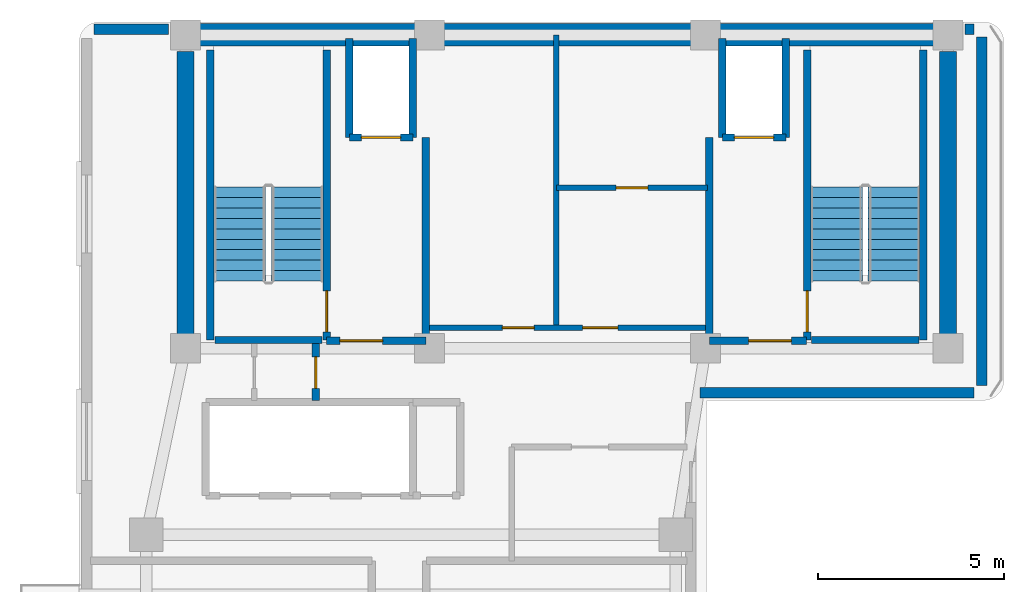
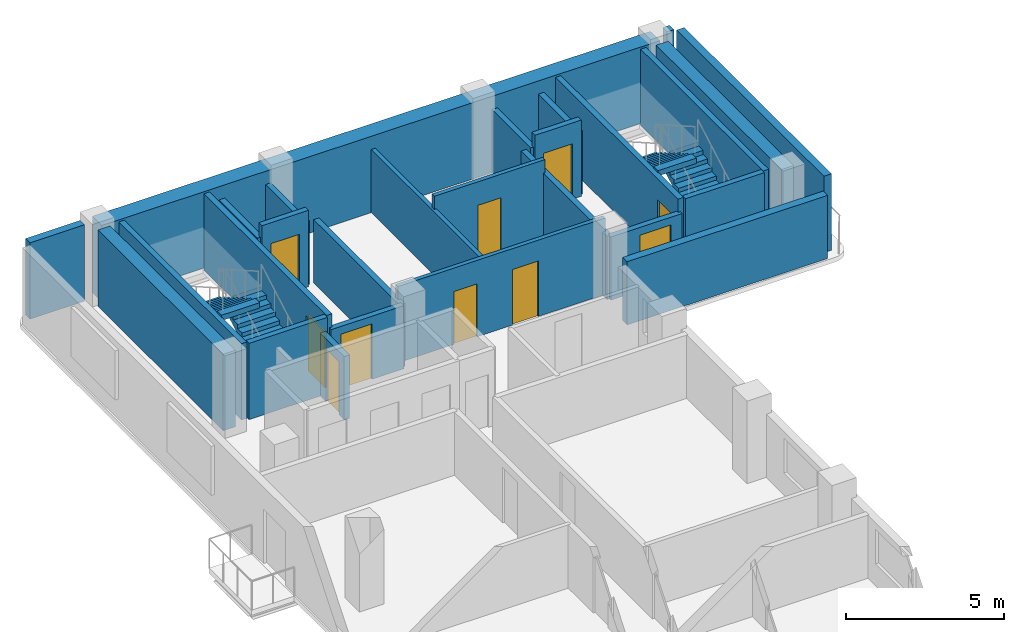
# One storey, part 3 of 5: 27 walls, 10 doors, 4 stair flights, 10 openings, 2 elements without a shape of their own.
"""IFC4 building model written with IfcOpenShell, lengths in metres."""

from ifc_helpers import new_model, si_unit, direction, frame, frame_2d, origin, place, context, subcontext, project, spatial, polyline, rectangle, outline, extrude, material, layer, layer_set, type_object, element, fill, aggregate, save


model = new_model("IFC4")

# Units and contexts
model_context = context("Model", 3, precision=1e-05, world=origin(), true_north=direction((0.0, 1.0)))
body_context = subcontext(model_context, "Body", "Model", "MODEL_VIEW")
ifc_project = project(units=[si_unit("LENGTHUNIT", "METRE"), si_unit("AREAUNIT", "SQUARE_METRE"), si_unit("VOLUMEUNIT", "CUBIC_METRE"), si_unit("PLANEANGLEUNIT", "RADIAN"), si_unit("MASSUNIT", "GRAM", prefix="KILO")], contexts=[model_context])

# Site, building, storey
site_placement = place(None, origin())
site = spatial("IfcSite", under=ifc_project, at=site_placement, CompositionType="ELEMENT")
building_placement = place(site_placement, origin())
building = spatial("IfcBuilding", under=site, at=building_placement, Name="Kuzgunbayir Cultural Tower", CompositionType="ELEMENT")
storey_placement = place(building_placement, frame((0.0, 0.0, 211.199951171875)))
storey = spatial("IfcBuildingStorey", under=building, at=storey_placement, Name="L62", CompositionType="ELEMENT", Elevation=211.199951171875)

# Walls
ifc_material_1 = material(Name="Concrete C50/60", Category="concrete")
ifc_layer_1 = layer(ifc_material_1, 0.449951171875)
ifc_layer_set_1 = layer_set([ifc_layer_1], Name="Concrete C50/60")
wall_type_1 = type_object("IfcWallType", Name="WAL-CORE-450", PredefinedType="SHEAR", material=ifc_layer_set_1)
for number, where, z_axis, x_axis, name in (
    (1, (6.449951171875, 33.800048828125, 0.0), (0.0, 0.0, 1.0), (0.0, 1.0, 0.0), "L62 T1 Core West Shear Wall"),
    (2, (26.89990234375, 33.800048828125, 0.0), (0.0, 0.0, 1.0), (0.0, 1.0, 0.0), "L62 T1 Core East Shear Wall"),
):
    element("IfcWall", number, at=place(storey_placement, frame(where, z_axis=z_axis, x_axis=x_axis)), inside=storey, type_object=wall_type_1, Name=name, PredefinedType="SHEAR", context=body_context, shape_type="SweptSolid", body=[
        extrude(rectangle(XDim=7.949951171875, YDim=0.449951171875, at=frame_2d((3.97509765625, 0.0))), origin(), (0.0, 0.0, 1.0), 2.9599609375),
    ])
ifc_material_2 = material(Name="Concrete C60/75", Category="concrete")
ifc_layer_2 = layer(ifc_material_2, 0.60009765625)
ifc_layer_set_2 = layer_set([ifc_layer_2], Name="Concrete C60/75")
wall_type_2 = type_object("IfcWallType", Name="WAL-CORE-600", PredefinedType="SHEAR", material=ifc_layer_set_2)
wall_1_placement = place(storey_placement, frame((6.449951171875, 42.199951171875, 0.0), z_axis=(0.0, 0.0, 1.0), x_axis=(1.0, 0.0, 0.0)))
element("IfcWall", 3, at=wall_1_placement, inside=storey, type_object=wall_type_2, Name="L62 T1 Core North Shear Wall", PredefinedType="SHEAR", context=body_context, shape_type="SweptSolid", body=[
    extrude(rectangle(XDim=20.449951171875, YDim=0.60009765625, at=frame_2d((10.22509765625, 0.0))), origin(), (0.0, 0.0, 1.0), 2.9599609375),
])
ifc_material_3 = material(Name="Anatolian Cream Limestone", Category="masonry")
ifc_layer_3 = layer(ifc_material_3, 0.280029296875)
ifc_layer_set_3 = layer_set([ifc_layer_3], Name="Anatolian Cream Limestone")
wall_type_3 = type_object("IfcWallType", Name="WAL-EXT-STONE-280", PredefinedType="STANDARD", material=ifc_layer_set_3)
wall_2_placement = place(storey_placement, frame((27.60009765625, 42.35009765625, 0.0), z_axis=(0.0, 0.0, 1.0), x_axis=(-1.0, 0.0, 0.0)))
element("IfcWall", 4, at=wall_2_placement, inside=storey, type_object=wall_type_3, Name="L62 North Wing B Limestone Wall", PredefinedType="STANDARD", context=body_context, shape_type="SweptSolid", body=[
    extrude(rectangle(XDim=0.25, YDim=0.280029296875, at=frame_2d((0.125, 0.0))), origin(), (0.0, 0.0, 1.0), 2.9599609375),
])
wall_3_placement = place(storey_placement, frame((6.0, 42.35009765625, 0.0), z_axis=(0.0, 0.0, 1.0), x_axis=(-1.0, 0.0, 0.0)))
element("IfcWall", 5, at=wall_3_placement, inside=storey, type_object=wall_type_3, Name="L62 Core North-West Spandrel Link", PredefinedType="STANDARD", context=body_context, shape_type="SweptSolid", body=[
    extrude(rectangle(XDim=2.0, YDim=0.280029296875, at=frame_2d((1.0, 0.0))), origin(), (0.0, 0.0, 1.0), 2.9599609375),
])
wall_4_placement = place(storey_placement, frame((27.800048828125, 32.800048828125, 0.0), z_axis=(0.0, 0.0, 1.0), x_axis=(0.0, 1.0, 0.0)))
element("IfcWall", 6, at=wall_4_placement, inside=storey, type_object=wall_type_3, Name="L62 Rear Core East Limestone Wall", PredefinedType="STANDARD", context=body_context, shape_type="SweptSolid", body=[
    extrude(rectangle(XDim=9.349853515625, YDim=0.280029296875, at=frame_2d((4.6748046875, 0.0))), origin(), (0.0, 0.0, 1.0), 2.9599609375),
])
wall_5_placement = place(storey_placement, frame((20.25, 32.60009765625, 0.0), z_axis=(0.0, 0.0, 1.0), x_axis=(1.0, 0.0, 0.0)))
element("IfcWall", 7, at=wall_5_placement, inside=storey, type_object=wall_type_3, Name="L62 Core South Soffit Wall", PredefinedType="STANDARD", context=body_context, shape_type="SweptSolid", body=[
    extrude(rectangle(XDim=7.35009765625, YDim=0.280029296875, at=frame_2d((3.675048828125, 0.0))), origin(), (0.0, 0.0, 1.0), 2.449951171875),
])

# Wall, openings, doors
ifc_material_4 = material(Name="Acoustic Double-Stud Drywall", Category="gypsum")
ifc_layer_4 = layer(ifc_material_4, 0.14990234375)
ifc_layer_set_4 = layer_set([ifc_layer_4], Name="Acoustic Double-Stud Drywall")
wall_type_4 = type_object("IfcWallType", Name="WAL-PART-ACOUSTIC-150", PredefinedType="PARTITIONING", material=ifc_layer_set_4)
wall_6_placement = place(storey_placement, frame((12.89990234375, 34.35009765625, 0.0), z_axis=(0.0, 0.0, 1.0), x_axis=(1.0, 0.0, 0.0)))
wall_6 = element("IfcWall", 8, at=wall_6_placement, inside=storey, type_object=wall_type_4, Name="L62 Sky Core South Wall", PredefinedType="PARTITIONING", context=body_context, shape_type="SweptSolid", body=[
    extrude(rectangle(XDim=7.60009765625, YDim=0.14990234375, at=frame_2d((3.800048828125, 0.0))), origin(), (0.0, 0.0, 1.0), 2.9599609375),
])
opening_1_placement = place(wall_6_placement, frame((2.050048828125, 0.0, 0.0)))
opening_1 = element("IfcOpeningElement", 9, at=opening_1_placement, cuts=wall_6, Name="Opening DC-85", PredefinedType="OPENING", context=body_context, shape_type="SweptSolid", body=[
    extrude(rectangle(XDim=0.85009765625, YDim=2.050048828125, at=frame_2d((0.425048828125, 1.02490234375))), frame((0.0, 0.0849609375, 0.0), z_axis=(0.0, -1.0, 0.0), x_axis=(1.0, 0.0, 0.0)), (0.0, 0.0, 1.0), 0.169921875),
])
opening_2_placement = place(wall_6_placement, frame((4.199951171875, 0.0, 0.0)))
opening_2 = element("IfcOpeningElement", 10, at=opening_2_placement, cuts=wall_6, Name="Opening DC-95", PredefinedType="OPENING", context=body_context, shape_type="SweptSolid", body=[
    extrude(rectangle(XDim=0.949951171875, YDim=2.14990234375, at=frame_2d((0.47509765625, 1.074951171875))), frame((0.0, 0.0849609375, 0.0), z_axis=(0.0, -1.0, 0.0), x_axis=(1.0, 0.0, 0.0)), (0.0, 0.0, 1.0), 0.169921875),
])
ifc_material_5 = material(Name="Fire-Rated Veneered Oak Leaf", Category="wood")
door_type_1 = type_object("IfcDoorType", Name="DR-CORE-85", OperationType="NOTDEFINED", PredefinedType="DOOR", material=ifc_material_5)
door_1_placement = place(opening_1_placement, origin())
door_1 = element("IfcDoor", 11, at=door_1_placement, inside=storey, type_object=door_type_1, Name="L62 Study Pod Door", OperationType="SINGLE_SWING_LEFT", OverallHeight=2.050048828125, OverallWidth=0.85009765625, PredefinedType="DOOR", context=body_context, shape_type="SweptSolid", body=[
    extrude(rectangle(XDim=0.85009765625, YDim=2.050048828125, at=frame_2d((0.425048828125, 1.02490234375))), frame((0.0, 0.02490234375, 0.0), z_axis=(0.0, -1.0, 0.0), x_axis=(1.0, 0.0, 0.0)), (0.0, 0.0, 1.0), 0.050048828125),
])
fill(opening_1, door_1)
door_type_2 = type_object("IfcDoorType", Name="DR-CORE-95", OperationType="NOTDEFINED", PredefinedType="DOOR", material=ifc_material_5)
door_2_placement = place(opening_2_placement, origin())
door_2 = element("IfcDoor", 12, at=door_2_placement, inside=storey, type_object=door_type_2, Name="L62 Tea Salon Door", OperationType="SINGLE_SWING_RIGHT", OverallHeight=2.14990234375, OverallWidth=0.949951171875, PredefinedType="DOOR", context=body_context, shape_type="SweptSolid", body=[
    extrude(rectangle(XDim=0.949951171875, YDim=2.14990234375, at=frame_2d((0.47509765625, 1.074951171875))), frame((0.0, 0.02490234375, 0.0), z_axis=(0.0, -1.0, 0.0), x_axis=(1.0, 0.0, 0.0)), (0.0, 0.0, 1.0), 0.050048828125),
])
fill(opening_2, door_2)

# Wall
wall_7_placement = place(storey_placement, frame((16.39990234375, 34.35009765625, 0.0), z_axis=(0.0, 0.0, 1.0), x_axis=(0.0, 1.0, 0.0)))
element("IfcWall", 13, at=wall_7_placement, inside=storey, type_object=wall_type_4, Name="L62 Sky Core Tri-Wall 1", PredefinedType="PARTITIONING", context=body_context, shape_type="SweptSolid", body=[
    extrude(rectangle(XDim=7.849853515625, YDim=0.14990234375, at=frame_2d((3.9248046875, 0.0))), origin(), (0.0, 0.0, 1.0), 2.449951171875),
])

# Wall, opening, door
wall_8_placement = place(storey_placement, frame((16.39990234375, 38.10009765625, 0.0), z_axis=(0.0, 0.0, 1.0), x_axis=(1.0, 0.0, 0.0)))
wall_8 = element("IfcWall", 14, at=wall_8_placement, inside=storey, type_object=wall_type_4, Name="L62 Sky Core Mid Divider", PredefinedType="PARTITIONING", context=body_context, shape_type="SweptSolid", body=[
    extrude(rectangle(XDim=4.050048828125, YDim=0.14990234375, at=frame_2d((2.02490234375, 0.0))), origin(), (0.0, 0.0, 1.0), 2.9599609375),
])
opening_3_placement = place(wall_8_placement, frame((1.60009765625, 0.0, 0.0)))
opening_3 = element("IfcOpeningElement", 15, at=opening_3_placement, cuts=wall_8, Name="Opening DC-85", PredefinedType="OPENING", context=body_context, shape_type="SweptSolid", body=[
    extrude(rectangle(XDim=0.85009765625, YDim=2.050048828125, at=frame_2d((0.425048828125, 1.02490234375))), frame((0.0, 0.0849609375, 0.0), z_axis=(0.0, -1.0, 0.0), x_axis=(1.0, 0.0, 0.0)), (0.0, 0.0, 1.0), 0.169921875),
])
door_3_placement = place(opening_3_placement, origin())
door_3 = element("IfcDoor", 16, at=door_3_placement, inside=storey, type_object=door_type_1, Name="L62 Meditation Room Door", OperationType="SINGLE_SWING_LEFT", OverallHeight=2.050048828125, OverallWidth=0.85009765625, PredefinedType="DOOR", context=body_context, shape_type="SweptSolid", body=[
    extrude(rectangle(XDim=0.85009765625, YDim=2.050048828125, at=frame_2d((0.425048828125, 1.02490234375))), frame((0.0, 0.02490234375, 0.0), z_axis=(0.0, -1.0, 0.0), x_axis=(1.0, 0.0, 0.0)), (0.0, 0.0, 1.0), 0.050048828125),
])
fill(opening_3, door_3)

# Wall
ifc_material_6 = material(Name="Aerated Concrete Blockwork", Category="masonry")
ifc_layer_5 = layer(ifc_material_6, 0.199951171875)
ifc_layer_set_5 = layer_set([ifc_layer_5], Name="Aerated Concrete Blockwork")
wall_type_5 = type_object("IfcWallType", Name="WAL-PART-FIRE-200", PredefinedType="PARTITIONING", material=ifc_layer_set_5)
wall_9_placement = place(storey_placement, frame((12.89990234375, 34.0, 0.0), z_axis=(0.0, 0.0, 1.0), x_axis=(0.0, 1.0, 0.0)))
element("IfcWall", 17, at=wall_9_placement, inside=storey, type_object=wall_type_5, Name="L62 FFL-1 Lobby East Fire Wall", PredefinedType="PARTITIONING", context=body_context, shape_type="SweptSolid", body=[
    extrude(rectangle(XDim=5.449951171875, YDim=0.199951171875, at=frame_2d((2.72509765625, 0.0))), origin(), (0.0, 0.0, 1.0), 2.449951171875),
])

# Wall, opening, door
wall_10_placement = place(storey_placement, frame((10.239990234375, 34.0, 0.0), z_axis=(0.0, 0.0, 1.0), x_axis=(1.0, 0.0, 0.0)))
wall_10 = element("IfcWall", 18, at=wall_10_placement, inside=storey, type_object=wall_type_5, Name="L62 FFL-1 Lobby South Fire Wall", PredefinedType="PARTITIONING", context=body_context, shape_type="SweptSolid", body=[
    extrude(rectangle(XDim=2.659912109375, YDim=0.199951171875, at=frame_2d((1.330078125, 0.0))), origin(), (0.0, 0.0, 1.0), 2.449951171875),
])
opening_4_placement = place(wall_10_placement, frame((0.35009765625, 0.0, 0.0)))
opening_4 = element("IfcOpeningElement", 19, at=opening_4_placement, cuts=wall_10, Name="Opening DR-FFL-90", PredefinedType="OPENING", context=body_context, shape_type="SweptSolid", body=[
    extrude(rectangle(XDim=1.14990234375, YDim=2.14990234375, at=frame_2d((0.574951171875, 1.074951171875))), frame((0.0, 0.10986328125, 0.0), z_axis=(0.0, -1.0, 0.0), x_axis=(1.0, 0.0, 0.0)), (0.0, 0.0, 1.0), 0.219970703125),
])
ifc_material_7 = material(Name="Steel S355J2", Category="steel")
door_type_3 = type_object("IfcDoorType", Name="DR-FFL-90", OperationType="NOTDEFINED", PredefinedType="DOOR", material=ifc_material_7)
door_4_placement = place(opening_4_placement, origin())
door_4 = element("IfcDoor", 20, at=door_4_placement, inside=storey, type_object=door_type_3, Name="L62 Firefighting Lobby 1 Door", OperationType="SINGLE_SWING_RIGHT", OverallHeight=2.14990234375, OverallWidth=1.14990234375, PredefinedType="DOOR", context=body_context, shape_type="SweptSolid", body=[
    extrude(rectangle(XDim=1.14990234375, YDim=2.14990234375, at=frame_2d((0.574951171875, 1.074951171875))), frame((0.0, 0.02490234375, 0.0), z_axis=(0.0, -1.0, 0.0), x_axis=(1.0, 0.0, 0.0)), (0.0, 0.0, 1.0), 0.050048828125),
])
fill(opening_4, door_4)

# Wall
wall_11_placement = place(storey_placement, frame((20.5, 34.0, 0.0), z_axis=(0.0, 0.0, 1.0), x_axis=(0.0, 1.0, 0.0)))
element("IfcWall", 21, at=wall_11_placement, inside=storey, type_object=wall_type_5, Name="L62 FFL-2 Lobby West Fire Wall", PredefinedType="PARTITIONING", context=body_context, shape_type="SweptSolid", body=[
    extrude(rectangle(XDim=5.449951171875, YDim=0.199951171875, at=frame_2d((2.72509765625, 0.0))), origin(), (0.0, 0.0, 1.0), 2.449951171875),
])

# Wall, opening, door
wall_12_placement = place(storey_placement, frame((20.5, 34.0, 0.0), z_axis=(0.0, 0.0, 1.0), x_axis=(1.0, 0.0, 0.0)))
wall_12 = element("IfcWall", 22, at=wall_12_placement, inside=storey, type_object=wall_type_5, Name="L62 FFL-2 Lobby South Fire Wall", PredefinedType="PARTITIONING", context=body_context, shape_type="SweptSolid", body=[
    extrude(rectangle(XDim=2.60009765625, YDim=0.199951171875, at=frame_2d((1.300048828125, 0.0))), origin(), (0.0, 0.0, 1.0), 2.449951171875),
])
opening_5_placement = place(wall_12_placement, frame((1.050048828125, 0.0, 0.0)))
opening_5 = element("IfcOpeningElement", 23, at=opening_5_placement, cuts=wall_12, Name="Opening DR-FFL-90", PredefinedType="OPENING", context=body_context, shape_type="SweptSolid", body=[
    extrude(rectangle(XDim=1.14990234375, YDim=2.14990234375, at=frame_2d((0.574951171875, 1.074951171875))), frame((0.0, 0.10986328125, 0.0), z_axis=(0.0, -1.0, 0.0), x_axis=(1.0, 0.0, 0.0)), (0.0, 0.0, 1.0), 0.219970703125),
])
door_5_placement = place(opening_5_placement, origin())
door_5 = element("IfcDoor", 24, at=door_5_placement, inside=storey, type_object=door_type_3, Name="L62 Firefighting Lobby 2 Door", OperationType="SINGLE_SWING_LEFT", OverallHeight=2.14990234375, OverallWidth=1.14990234375, PredefinedType="DOOR", context=body_context, shape_type="SweptSolid", body=[
    extrude(rectangle(XDim=1.14990234375, YDim=2.14990234375, at=frame_2d((0.574951171875, 1.074951171875))), frame((0.0, 0.02490234375, 0.0), z_axis=(0.0, -1.0, 0.0), x_axis=(1.0, 0.0, 0.0)), (0.0, 0.0, 1.0), 0.050048828125),
])
fill(opening_5, door_5)

wall_13_placement = place(storey_placement, frame((9.949951171875, 32.39990234375, 0.0), z_axis=(0.0, 0.0, 1.0), x_axis=(0.0, 1.0, 0.0)))
wall_13 = element("IfcWall", 25, at=wall_13_placement, inside=storey, type_object=wall_type_5, Name="L62 West Core Service Closet Wall", PredefinedType="PARTITIONING", context=body_context, shape_type="SweptSolid", body=[
    extrude(rectangle(XDim=1.52001953125, YDim=0.199951171875, at=frame_2d((0.760009765625, 0.0))), origin(), (0.0, 0.0, 1.0), 2.449951171875),
])
opening_6_placement = place(wall_13_placement, frame((0.320068359375, 0.0, 0.0)))
opening_6 = element("IfcOpeningElement", 26, at=opening_6_placement, cuts=wall_13, Name="Opening DR-RSR-60", PredefinedType="OPENING", context=body_context, shape_type="SweptSolid", body=[
    extrude(rectangle(XDim=0.85009765625, YDim=2.050048828125, at=frame_2d((0.425048828125, 1.02490234375))), frame((0.0, 0.10986328125, 0.0), z_axis=(0.0, -1.0, 0.0), x_axis=(1.0, 0.0, 0.0)), (0.0, 0.0, 1.0), 0.219970703125),
])
ifc_material_8 = material(Name="Steel Access Leaf", Category="steel")
door_type_4 = type_object("IfcDoorType", Name="DR-RISER-60", OperationType="NOTDEFINED", PredefinedType="DOOR", material=ifc_material_8)
door_6_placement = place(opening_6_placement, origin())
door_6 = element("IfcDoor", 27, at=door_6_placement, inside=storey, type_object=door_type_4, Name="L62 Cleaner Store Door", OperationType="SINGLE_SWING_RIGHT", OverallHeight=2.050048828125, OverallWidth=0.85009765625, PredefinedType="DOOR", context=body_context, shape_type="SweptSolid", body=[
    extrude(rectangle(XDim=0.85009765625, YDim=2.050048828125, at=frame_2d((0.425048828125, 1.02490234375))), frame((0.0, 0.02490234375, 0.0), z_axis=(0.0, -1.0, 0.0), x_axis=(1.0, 0.0, 0.0)), (0.0, 0.0, 1.0), 0.050048828125),
])
fill(opening_6, door_6)

ifc_material_9 = material(Name="Concrete C40/50", Category="concrete")
ifc_layer_6 = layer(ifc_material_9, 0.199951171875)
ifc_layer_set_6 = layer_set([ifc_layer_6], Name="Concrete C40/50")
wall_type_6 = type_object("IfcWallType", Name="WAL-SHAFT-200", PredefinedType="MOVABLE", material=ifc_layer_set_6)
wall_14_placement = place(storey_placement, frame((10.85009765625, 39.449951171875, 0.0), z_axis=(0.0, 0.0, 1.0), x_axis=(1.0, 0.0, 0.0)))
wall_14 = element("IfcWall", 28, at=wall_14_placement, inside=storey, type_object=wall_type_6, Name="L62 FFL-1 Lift Front Wall", PredefinedType="MOVABLE", context=body_context, shape_type="SweptSolid", body=[
    extrude(rectangle(XDim=1.699951171875, YDim=0.199951171875, at=frame_2d((0.85009765625, 0.0))), origin(), (0.0, 0.0, 1.0), 2.9599609375),
])
opening_7_placement = place(wall_14_placement, frame((0.320068359375, 0.0, 0.0)))
opening_7 = element("IfcOpeningElement", 29, at=opening_7_placement, cuts=wall_14, Name="Opening LD", PredefinedType="OPENING", context=body_context, shape_type="SweptSolid", body=[
    extrude(rectangle(XDim=1.050048828125, YDim=2.14990234375, at=frame_2d((0.52490234375, 1.074951171875))), frame((0.0, 0.10986328125, 0.0), z_axis=(0.0, -1.0, 0.0), x_axis=(1.0, 0.0, 0.0)), (0.0, 0.0, 1.0), 0.219970703125),
])
ifc_material_10 = material(Name="Brushed Stainless Steel", Category="steel")
door_type_5 = type_object("IfcDoorType", Name="DR-LIFT-LANDING", OperationType="SLIDING_TO_LEFT", PredefinedType="DOOR", material=ifc_material_10)
door_7_placement = place(opening_7_placement, origin())
door_7 = element("IfcDoor", 30, at=door_7_placement, inside=storey, type_object=door_type_5, Name="L62 Lift FFL-1 Landing Door", OperationType="SLIDING_TO_LEFT", OverallHeight=2.14990234375, OverallWidth=1.050048828125, PredefinedType="DOOR", context=body_context, shape_type="SweptSolid", body=[
    extrude(rectangle(XDim=1.050048828125, YDim=2.14990234375, at=frame_2d((0.52490234375, 1.074951171875))), frame((0.0, 0.02490234375, 0.0), z_axis=(0.0, -1.0, 0.0), x_axis=(1.0, 0.0, 0.0)), (0.0, 0.0, 1.0), 0.050048828125),
])
fill(opening_7, door_7)

wall_15_placement = place(storey_placement, frame((20.85009765625, 39.449951171875, 0.0), z_axis=(0.0, 0.0, 1.0), x_axis=(1.0, 0.0, 0.0)))
wall_15 = element("IfcWall", 31, at=wall_15_placement, inside=storey, type_object=wall_type_6, Name="L62 FFL-2 Lift Front Wall", PredefinedType="MOVABLE", context=body_context, shape_type="SweptSolid", body=[
    extrude(rectangle(XDim=1.699951171875, YDim=0.199951171875, at=frame_2d((0.85009765625, 0.0))), origin(), (0.0, 0.0, 1.0), 2.9599609375),
])
opening_8_placement = place(wall_15_placement, frame((0.320068359375, 0.0, 0.0)))
opening_8 = element("IfcOpeningElement", 32, at=opening_8_placement, cuts=wall_15, Name="Opening LD", PredefinedType="OPENING", context=body_context, shape_type="SweptSolid", body=[
    extrude(rectangle(XDim=1.050048828125, YDim=2.14990234375, at=frame_2d((0.52490234375, 1.074951171875))), frame((0.0, 0.10986328125, 0.0), z_axis=(0.0, -1.0, 0.0), x_axis=(1.0, 0.0, 0.0)), (0.0, 0.0, 1.0), 0.219970703125),
])
door_8_placement = place(opening_8_placement, origin())
door_8 = element("IfcDoor", 33, at=door_8_placement, inside=storey, type_object=door_type_5, Name="L62 Lift FFL-2 Landing Door", OperationType="SLIDING_TO_LEFT", OverallHeight=2.14990234375, OverallWidth=1.050048828125, PredefinedType="DOOR", context=body_context, shape_type="SweptSolid", body=[
    extrude(rectangle(XDim=1.050048828125, YDim=2.14990234375, at=frame_2d((0.52490234375, 1.074951171875))), frame((0.0, 0.02490234375, 0.0), z_axis=(0.0, -1.0, 0.0), x_axis=(1.0, 0.0, 0.0)), (0.0, 0.0, 1.0), 0.050048828125),
])
fill(opening_8, door_8)

# Walls
for number, where, z_axis, x_axis, name in (
    (34, (10.85009765625, 39.449951171875, 0.0), (0.0, 0.0, 1.0), (0.0, 1.0, 0.0), "L62 FFL-1 Shaft West Wall"),
    (35, (12.550048828125, 39.449951171875, 0.0), (0.0, 0.0, 1.0), (0.0, 1.0, 0.0), "L62 FFL-1 Shaft East Wall"),
    (36, (20.85009765625, 39.449951171875, 0.0), (0.0, 0.0, 1.0), (0.0, 1.0, 0.0), "L62 FFL-2 Shaft West Wall"),
    (37, (22.550048828125, 39.449951171875, 0.0), (0.0, 0.0, 1.0), (0.0, 1.0, 0.0), "L62 FFL-2 Shaft East Wall"),
):
    element("IfcWall", number, at=place(storey_placement, frame(where, z_axis=z_axis, x_axis=x_axis)), inside=storey, type_object=wall_type_6, Name=name, PredefinedType="MOVABLE", context=body_context, shape_type="SweptSolid", body=[
        extrude(rectangle(XDim=2.650146484375, YDim=0.199951171875, at=frame_2d((1.3251953125, 0.0))), origin(), (0.0, 0.0, 1.0), 2.449951171875),
    ])
ifc_layer_7 = layer(ifc_material_9, 0.199951171875)
ifc_layer_set_7 = layer_set([ifc_layer_7], Name="Concrete C40/50")
wall_type_7 = type_object("IfcWallType", Name="WAL-STAIR-RC-200", PredefinedType="SHEAR", material=ifc_layer_set_7)
wall_16_placement = place(storey_placement, frame((7.1201171875, 34.02001953125, 0.0), z_axis=(0.0, 0.0, 1.0), x_axis=(0.0, 1.0, 0.0)))
element("IfcWall", 38, at=wall_16_placement, inside=storey, type_object=wall_type_7, Name="L62 Stair ST-1 West Structural Wall", PredefinedType="SHEAR", context=body_context, shape_type="SweptSolid", body=[
    extrude(rectangle(XDim=7.780029296875, YDim=0.199951171875, at=frame_2d((3.89013671875, 0.0))), origin(), (0.0, 0.0, 1.0), 2.9599609375),
])

# Wall, opening, door
wall_17_placement = place(storey_placement, frame((10.239990234375, 34.02001953125, 0.0), z_axis=(0.0, 0.0, 1.0), x_axis=(0.0, 1.0, 0.0)))
wall_17 = element("IfcWall", 39, at=wall_17_placement, inside=storey, type_object=wall_type_7, Name="L62 Stair ST-1 East Structural Wall", PredefinedType="SHEAR", context=body_context, shape_type="SweptSolid", body=[
    extrude(rectangle(XDim=7.780029296875, YDim=0.199951171875, at=frame_2d((3.89013671875, 0.0))), origin(), (0.0, 0.0, 1.0), 2.9599609375),
])
opening_9_placement = place(wall_17_placement, frame((0.219970703125, 0.0, 0.0)))
opening_9 = element("IfcOpeningElement", 40, at=opening_9_placement, cuts=wall_17, Name="Opening DR-STAIR-90", PredefinedType="OPENING", context=body_context, shape_type="SweptSolid", body=[
    extrude(rectangle(XDim=1.10009765625, YDim=2.14990234375, at=frame_2d((0.550048828125, 1.074951171875))), frame((0.0, 0.10986328125, 0.0), z_axis=(0.0, -1.0, 0.0), x_axis=(1.0, 0.0, 0.0)), (0.0, 0.0, 1.0), 0.219970703125),
])
door_type_6 = type_object("IfcDoorType", Name="DR-STAIR-90", OperationType="NOTDEFINED", PredefinedType="DOOR", material=ifc_material_7)
door_9_placement = place(opening_9_placement, origin())
door_9 = element("IfcDoor", 41, at=door_9_placement, inside=storey, type_object=door_type_6, Name="L62 Stair ST-1 Fire Door", OperationType="SINGLE_SWING_RIGHT", OverallHeight=2.14990234375, OverallWidth=1.10009765625, PredefinedType="DOOR", context=body_context, shape_type="SweptSolid", body=[
    extrude(rectangle(XDim=1.10009765625, YDim=2.14990234375, at=frame_2d((0.550048828125, 1.074951171875))), frame((0.0, 0.02490234375, 0.0), z_axis=(0.0, -1.0, 0.0), x_axis=(1.0, 0.0, 0.0)), (0.0, 0.0, 1.0), 0.050048828125),
])
fill(opening_9, door_9)

# Wall
wall_18_placement = place(storey_placement, frame((7.239990234375, 34.02001953125, 0.0), z_axis=(0.0, 0.0, 1.0), x_axis=(1.0, 0.0, 0.0)))
element("IfcWall", 42, at=wall_18_placement, inside=storey, type_object=wall_type_7, Name="L62 Stair ST-1 South Structural Wall", PredefinedType="SHEAR", context=body_context, shape_type="SweptSolid", body=[
    extrude(rectangle(XDim=2.880126953125, YDim=0.199951171875, at=frame_2d((1.43994140625, 0.0))), origin(), (0.0, 0.0, 1.0), 2.9599609375),
])

# Wall, opening, door
wall_19_placement = place(storey_placement, frame((23.1201171875, 34.02001953125, 0.0), z_axis=(0.0, 0.0, 1.0), x_axis=(0.0, 1.0, 0.0)))
wall_19 = element("IfcWall", 43, at=wall_19_placement, inside=storey, type_object=wall_type_7, Name="L62 Stair ST-2 West Structural Wall", PredefinedType="SHEAR", context=body_context, shape_type="SweptSolid", body=[
    extrude(rectangle(XDim=7.780029296875, YDim=0.199951171875, at=frame_2d((3.89013671875, 0.0))), origin(), (0.0, 0.0, 1.0), 2.9599609375),
])
opening_10_placement = place(wall_19_placement, frame((0.219970703125, 0.0, 0.0)))
opening_10 = element("IfcOpeningElement", 44, at=opening_10_placement, cuts=wall_19, Name="Opening DR-STAIR-90", PredefinedType="OPENING", context=body_context, shape_type="SweptSolid", body=[
    extrude(rectangle(XDim=1.10009765625, YDim=2.14990234375, at=frame_2d((0.550048828125, 1.074951171875))), frame((0.0, 0.10986328125, 0.0), z_axis=(0.0, -1.0, 0.0), x_axis=(1.0, 0.0, 0.0)), (0.0, 0.0, 1.0), 0.219970703125),
])
door_10_placement = place(opening_10_placement, origin())
door_10 = element("IfcDoor", 45, at=door_10_placement, inside=storey, type_object=door_type_6, Name="L62 Stair ST-2 Fire Door", OperationType="SINGLE_SWING_RIGHT", OverallHeight=2.14990234375, OverallWidth=1.10009765625, PredefinedType="DOOR", context=body_context, shape_type="SweptSolid", body=[
    extrude(rectangle(XDim=1.10009765625, YDim=2.14990234375, at=frame_2d((0.550048828125, 1.074951171875))), frame((0.0, 0.02490234375, 0.0), z_axis=(0.0, -1.0, 0.0), x_axis=(1.0, 0.0, 0.0)), (0.0, 0.0, 1.0), 0.050048828125),
])
fill(opening_10, door_10)

# Walls
wall_20_placement = place(storey_placement, frame((26.239990234375, 34.02001953125, 0.0), z_axis=(0.0, 0.0, 1.0), x_axis=(0.0, 1.0, 0.0)))
element("IfcWall", 46, at=wall_20_placement, inside=storey, type_object=wall_type_7, Name="L62 Stair ST-2 East Structural Wall", PredefinedType="SHEAR", context=body_context, shape_type="SweptSolid", body=[
    extrude(rectangle(XDim=7.780029296875, YDim=0.199951171875, at=frame_2d((3.89013671875, 0.0))), origin(), (0.0, 0.0, 1.0), 2.9599609375),
])
wall_21_placement = place(storey_placement, frame((23.239990234375, 34.02001953125, 0.0), z_axis=(0.0, 0.0, 1.0), x_axis=(1.0, 0.0, 0.0)))
element("IfcWall", 47, at=wall_21_placement, inside=storey, type_object=wall_type_7, Name="L62 Stair ST-2 South Structural Wall", PredefinedType="SHEAR", context=body_context, shape_type="SweptSolid", body=[
    extrude(rectangle(XDim=2.880126953125, YDim=0.199951171875, at=frame_2d((1.43994140625, 0.0))), origin(), (0.0, 0.0, 1.0), 2.9599609375),
])

# Stair, stair flights
stair_type = type_object("IfcStairType", Name="STR-EXIT-CORE", PredefinedType="HALF_TURN_STAIR", material=ifc_material_9)
stair_1_placement = place(storey_placement, origin())
stair_1 = element("IfcStair", 48, at=stair_1_placement, inside=storey, type_object=stair_type, Name="L62 ST-1", PredefinedType="HALF_TURN_STAIR")
stair_flight_type = type_object("IfcStairFlightType", Name="STRF-RC-140", PredefinedType="STRAIGHT", material=ifc_material_9)
stair_flight_1_placement = place(storey_placement, frame((9.4599609375, 35.60009765625, 0.0), z_axis=(0.0, 0.0, 1.0), x_axis=(0.0, 1.0, 0.0)))
stair_flight_1 = element("IfcStairFlight", 49, at=stair_flight_1_placement, type_object=stair_flight_type, Name="ST-1 flight 1", NumberOfRisers=10, NumberOfTreads=9, PredefinedType="STRAIGHT", RiserHeight=0.16, TreadLength=0.28, context=body_context, shape_type="SweptSolid", body=[
    extrude(outline(polyline([(0.0, 0.0), (0.0, 0.159912109375), (0.280029296875, 0.159912109375), (0.280029296875, 0.320068359375), (0.56005859375, 0.320068359375), (0.56005859375, 0.47998046875), (0.840087890625, 0.47998046875), (0.840087890625, 0.639892578125), (1.1201171875, 0.639892578125), (1.1201171875, 0.800048828125), (1.39990234375, 0.800048828125), (1.39990234375, 0.9599609375), (1.679931640625, 0.9599609375), (1.679931640625, 1.1201171875), (1.9599609375, 1.1201171875), (1.9599609375, 1.280029296875), (2.239990234375, 1.280029296875), (2.239990234375, 1.43994140625), (2.52001953125, 1.43994140625), (2.52001953125, 1.60009765625), (2.52001953125, 1.232666015625), (0.362548828125, 0.0), (0.0, 0.0)])), frame((0.0, 0.699951171875, 0.0), z_axis=(0.0, -1.0, 0.0), x_axis=(1.0, 0.0, 0.0)), (0.0, 0.0, 1.0), 1.39990234375),
])
stair_flight_2_placement = place(storey_placement, frame((7.89990234375, 38.1201171875, 1.60009765625), z_axis=(0.0, 0.0, 1.0), x_axis=(0.0, -1.0, 0.0)))
stair_flight_2 = element("IfcStairFlight", 50, at=stair_flight_2_placement, type_object=stair_flight_type, Name="ST-1 flight 2", NumberOfRisers=10, NumberOfTreads=9, PredefinedType="STRAIGHT", RiserHeight=0.16, TreadLength=0.28, context=body_context, shape_type="SweptSolid", body=[
    extrude(outline(polyline([(0.0, 0.0), (0.0, 0.159912109375), (0.280029296875, 0.159912109375), (0.280029296875, 0.320068359375), (0.56005859375, 0.320068359375), (0.56005859375, 0.47998046875), (0.840087890625, 0.47998046875), (0.840087890625, 0.639892578125), (1.1201171875, 0.639892578125), (1.1201171875, 0.800048828125), (1.39990234375, 0.800048828125), (1.39990234375, 0.9599609375), (1.679931640625, 0.9599609375), (1.679931640625, 1.1201171875), (1.9599609375, 1.1201171875), (1.9599609375, 1.280029296875), (2.239990234375, 1.280029296875), (2.239990234375, 1.43994140625), (2.52001953125, 1.43994140625), (2.52001953125, 1.60009765625), (2.52001953125, 1.232666015625), (0.362548828125, 0.0), (0.0, 0.0)])), frame((0.0, 0.699951171875, 0.0), z_axis=(0.0, -1.0, 0.0), x_axis=(1.0, 0.0, 0.0)), (0.0, 0.0, 1.0), 1.39990234375),
])
aggregate(stair_1, [stair_flight_1, stair_flight_2])

stair_2_placement = place(storey_placement, origin())
stair_2 = element("IfcStair", 51, at=stair_2_placement, inside=storey, type_object=stair_type, Name="L62 ST-2", PredefinedType="HALF_TURN_STAIR")
stair_flight_3_placement = place(storey_placement, frame((25.4599609375, 35.60009765625, 0.0), z_axis=(0.0, 0.0, 1.0), x_axis=(0.0, 1.0, 0.0)))
stair_flight_3 = element("IfcStairFlight", 52, at=stair_flight_3_placement, type_object=stair_flight_type, Name="ST-2 flight 1", NumberOfRisers=10, NumberOfTreads=9, PredefinedType="STRAIGHT", RiserHeight=0.16, TreadLength=0.28, context=body_context, shape_type="SweptSolid", body=[
    extrude(outline(polyline([(0.0, 0.0), (0.0, 0.159912109375), (0.280029296875, 0.159912109375), (0.280029296875, 0.320068359375), (0.56005859375, 0.320068359375), (0.56005859375, 0.47998046875), (0.840087890625, 0.47998046875), (0.840087890625, 0.639892578125), (1.1201171875, 0.639892578125), (1.1201171875, 0.800048828125), (1.39990234375, 0.800048828125), (1.39990234375, 0.9599609375), (1.679931640625, 0.9599609375), (1.679931640625, 1.1201171875), (1.9599609375, 1.1201171875), (1.9599609375, 1.280029296875), (2.239990234375, 1.280029296875), (2.239990234375, 1.43994140625), (2.52001953125, 1.43994140625), (2.52001953125, 1.60009765625), (2.52001953125, 1.232666015625), (0.362548828125, 0.0), (0.0, 0.0)])), frame((0.0, 0.699951171875, 0.0), z_axis=(0.0, -1.0, 0.0), x_axis=(1.0, 0.0, 0.0)), (0.0, 0.0, 1.0), 1.39990234375),
])
stair_flight_4_placement = place(storey_placement, frame((23.89990234375, 38.1201171875, 1.60009765625), z_axis=(0.0, 0.0, 1.0), x_axis=(0.0, -1.0, 0.0)))
stair_flight_4 = element("IfcStairFlight", 53, at=stair_flight_4_placement, type_object=stair_flight_type, Name="ST-2 flight 2", NumberOfRisers=10, NumberOfTreads=9, PredefinedType="STRAIGHT", RiserHeight=0.16, TreadLength=0.28, context=body_context, shape_type="SweptSolid", body=[
    extrude(outline(polyline([(0.0, 0.0), (0.0, 0.159912109375), (0.280029296875, 0.159912109375), (0.280029296875, 0.320068359375), (0.56005859375, 0.320068359375), (0.56005859375, 0.47998046875), (0.840087890625, 0.47998046875), (0.840087890625, 0.639892578125), (1.1201171875, 0.639892578125), (1.1201171875, 0.800048828125), (1.39990234375, 0.800048828125), (1.39990234375, 0.9599609375), (1.679931640625, 0.9599609375), (1.679931640625, 1.1201171875), (1.9599609375, 1.1201171875), (1.9599609375, 1.280029296875), (2.239990234375, 1.280029296875), (2.239990234375, 1.43994140625), (2.52001953125, 1.43994140625), (2.52001953125, 1.60009765625), (2.52001953125, 1.232666015625), (0.362548828125, 0.0), (0.0, 0.0)])), frame((0.0, 0.699951171875, 0.0), z_axis=(0.0, -1.0, 0.0), x_axis=(1.0, 0.0, 0.0)), (0.0, 0.0, 1.0), 1.39990234375),
])
aggregate(stair_2, [stair_flight_3, stair_flight_4])

save(model, "model.ifc")
